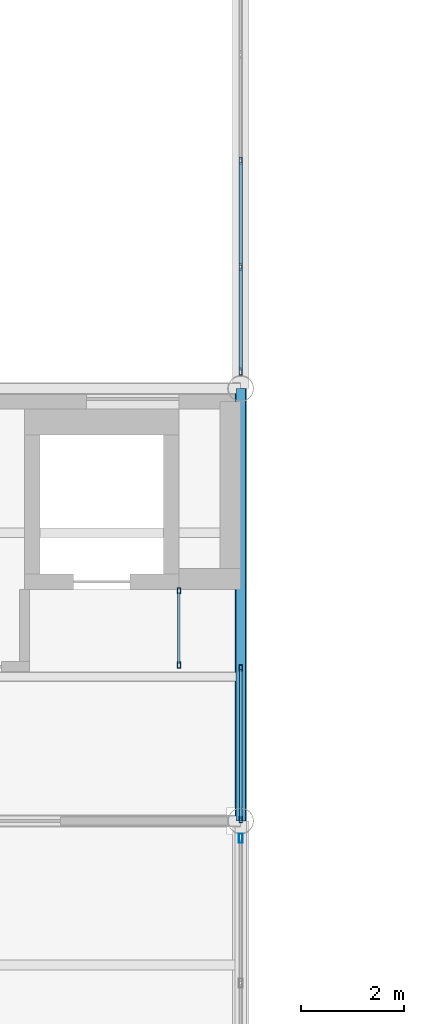
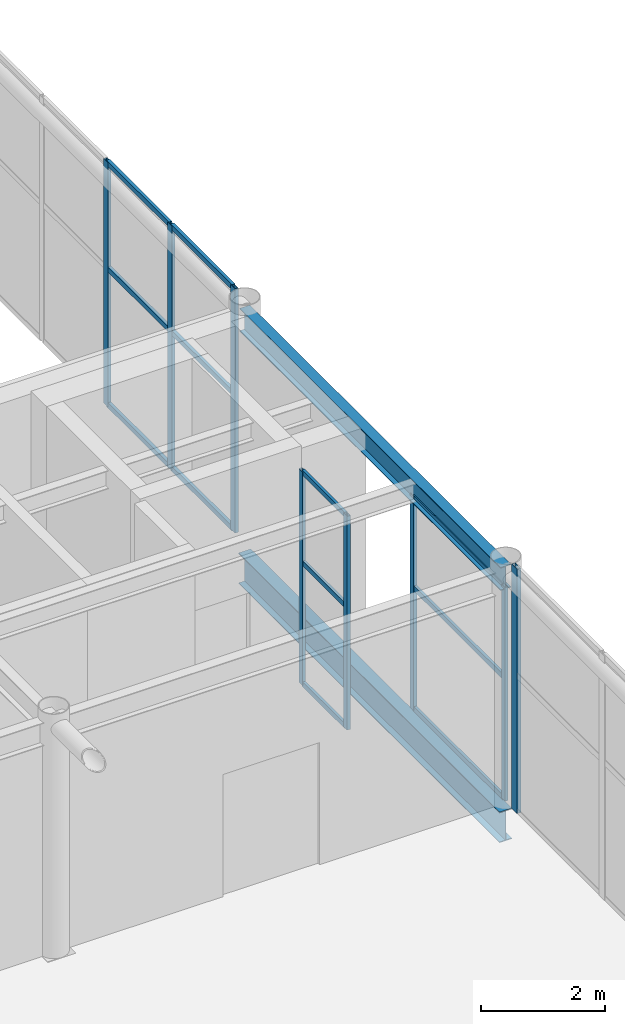
# One storey, part 97 of 167: 20 members, 2 beams, 4 elements without a shape of their own.
"""IFC4 building model written with IfcOpenShell, lengths in metres."""

from ifc_helpers import new_model, si_unit, direction, frame, origin, origin_2d, place, context, subcontext, project, spatial, hollow_rectangle, i_section, extrude, material, material_profile, profile_set, type_object, element, aggregate, save


model = new_model("IFC4")

# Units and contexts
model_context = context("Model", 3, precision=1e-05, world=origin(), true_north=direction((0.0, 1.0)))
body_context = subcontext(model_context, "Body", "Model", "MODEL_VIEW")
ifc_project = project(units=[si_unit("LENGTHUNIT", "METRE"), si_unit("AREAUNIT", "SQUARE_METRE"), si_unit("VOLUMEUNIT", "CUBIC_METRE"), si_unit("PLANEANGLEUNIT", "RADIAN"), si_unit("MASSUNIT", "GRAM", prefix="KILO")], contexts=[model_context])

# Site, building, storey
site_placement = place(None, origin())
site = spatial("IfcSite", under=ifc_project, at=site_placement, CompositionType="ELEMENT")
building_placement = place(site_placement, origin())
building = spatial("IfcBuilding", under=site, at=building_placement, Name="Catenary Quay Ferry Terminal", CompositionType="ELEMENT")
storey_placement = place(building_placement, frame((0.0, 0.0, 6.0)))
storey = spatial("IfcBuildingStorey", under=building, at=storey_placement, Name="L01", CompositionType="ELEMENT", Elevation=6.0)

# Beams
ifc_material_1 = material(Name="Steel S355", Category="steel")
ifc_material_profile_1 = material_profile(ifc_material_1, i_section(OverallWidth=0.18994140625, OverallDepth=0.453369140625, WebThickness=0.008544921875, FlangeThickness=0.0126953125, at=origin_2d()), Name="UB 457x191x67")
ifc_profile_set_1 = profile_set([ifc_material_profile_1], Name="Steel S355")
beam_type_1 = type_object("IfcBeamType", Name="B1 UB 457x191x67", PredefinedType="BEAM", material=ifc_profile_set_1)
beam_1_placement = place(storey_placement, frame((92.39990234375, 100.800048828125, 4.373046875), z_axis=(0.0, 1.0, 0.0), x_axis=(-1.0, 0.0, 0.0)))
element("IfcBeam", 1, at=beam_1_placement, inside=storey, type_object=beam_type_1, Name="Beam B1-061", PredefinedType="BEAM", context=body_context, shape_type="SweptSolid", body=[
    extrude(i_section(OverallWidth=0.18994140625, OverallDepth=0.453369140625, WebThickness=0.008544921875, FlangeThickness=0.0126953125, at=origin_2d()), origin(), (0.0, 0.0, 1.0), 8.39990234375),
])
ifc_material_2 = material(Name="Steel S355", Category="steel")
ifc_material_profile_2 = material_profile(ifc_material_2, i_section(OverallWidth=0.2275390625, OverallDepth=0.6025390625, WebThickness=0.010498046875, FlangeThickness=0.014892578125, at=origin_2d()), Name="UB 610x229x101")
ifc_profile_set_2 = profile_set([ifc_material_profile_2], Name="Steel S355")
beam_type_2 = type_object("IfcBeamType", Name="B3 UB 610x229x101", PredefinedType="BEAM", material=ifc_profile_set_2)
beam_2_placement = place(storey_placement, frame((92.39990234375, 100.800048828125, -0.5009765625), z_axis=(0.0, 1.0, 0.0), x_axis=(-1.0, 0.0, 0.0)))
element("IfcBeam", 2, at=beam_2_placement, inside=storey, type_object=beam_type_2, Name="Beam B3-049", PredefinedType="BEAM", context=body_context, shape_type="SweptSolid", body=[
    extrude(i_section(OverallWidth=0.2275390625, OverallDepth=0.6025390625, WebThickness=0.010498046875, FlangeThickness=0.014892578125, at=origin_2d()), origin(), (0.0, 0.0, 1.0), 8.39990234375),
])

# Curtain wall, members
ifc_material_3 = material(Name="Aluminium and glass", Category="aluminium")
curtain_wall_type_1 = type_object("IfcCurtainWallType", Name="CWG", PredefinedType="NOTDEFINED", material=ifc_material_3)
curtain_wall_1_placement = place(storey_placement, origin())
curtain_wall_1 = element("IfcCurtainWall", 3, at=curtain_wall_1_placement, inside=storey, type_object=curtain_wall_type_1, Name="Gable departure hall curtain wall CW20", PredefinedType="NOTDEFINED")
ifc_material_4 = material(Name="Aluminium", Category="aluminium")
ifc_material_profile_3 = material_profile(ifc_material_4, hollow_rectangle(XDim=0.06005859375, YDim=0.139892578125, WallThickness=0.006103515625, at=origin_2d()), Name="MU2")
ifc_profile_set_3 = profile_set([ifc_material_profile_3], Name="Aluminium")
member_type_1 = type_object("IfcMemberType", Name="MU2", PredefinedType="MULLION", material=ifc_profile_set_3)
member_1_placement = place(storey_placement, frame((92.39990234375, 109.530029296875, 0.0), z_axis=(0.0, 0.0, 1.0), x_axis=(-1.0, 0.0, 0.0)))
member_1 = element("IfcMember", 4, at=member_1_placement, type_object=member_type_1, Name="CW20 mullion 1", PredefinedType="MULLION", context=body_context, shape_type="SweptSolid", body=[
    extrude(hollow_rectangle(XDim=0.06005859375, YDim=0.139892578125, WallThickness=0.006103515625, at=origin_2d()), origin(), (0.0, 0.0, 1.0), 4.800048828125),
])
member_2_placement = place(storey_placement, frame((92.39990234375, 111.5625, 0.0), z_axis=(0.0, 0.0, 1.0), x_axis=(-1.0, 0.0, 0.0)))
member_2 = element("IfcMember", 5, at=member_2_placement, type_object=member_type_1, Name="CW20 mullion 2", PredefinedType="MULLION", context=body_context, shape_type="SweptSolid", body=[
    extrude(hollow_rectangle(XDim=0.06005859375, YDim=0.139892578125, WallThickness=0.006103515625, at=origin_2d()), origin(), (0.0, 0.0, 1.0), 4.800048828125),
])
member_3_placement = place(storey_placement, frame((92.39990234375, 113.625, 0.0), z_axis=(0.0, 0.0, 1.0), x_axis=(-1.0, 0.0, 0.0)))
member_3 = element("IfcMember", 6, at=member_3_placement, type_object=member_type_1, Name="CW20 mullion 3", PredefinedType="MULLION", context=body_context, shape_type="SweptSolid", body=[
    extrude(hollow_rectangle(XDim=0.06005859375, YDim=0.139892578125, WallThickness=0.006103515625, at=origin_2d()), origin(), (0.0, 0.0, 1.0), 4.800048828125),
])

# Curtain wall, member
ifc_material_5 = material(Name="Aluminium and glass", Category="aluminium")
curtain_wall_type_2 = type_object("IfcCurtainWallType", Name="CWM", PredefinedType="NOTDEFINED", material=ifc_material_5)
curtain_wall_2_placement = place(storey_placement, origin())
curtain_wall_2 = element("IfcCurtainWall", 7, at=curtain_wall_2_placement, inside=storey, type_object=curtain_wall_type_2, Name="Gable arrivals hall curtain wall CW11", PredefinedType="NOTDEFINED")
ifc_material_6 = material(Name="Aluminium", Category="aluminium")
ifc_material_profile_4 = material_profile(ifc_material_6, hollow_rectangle(XDim=0.070068359375, YDim=0.179931640625, WallThickness=0.006103515625, at=origin_2d()), Name="MU3")
ifc_profile_set_4 = profile_set([ifc_material_profile_4], Name="Aluminium")
member_type_2 = type_object("IfcMemberType", Name="MU3", PredefinedType="MULLION", material=ifc_profile_set_4)
member_4_placement = place(storey_placement, frame((92.39990234375, 100.465087890625, 0.0), z_axis=(0.0, 0.0, 1.0), x_axis=(-1.0, 0.0, 0.0)))
member_4 = element("IfcMember", 8, at=member_4_placement, type_object=member_type_2, Name="CW11 mullion 3", PredefinedType="MULLION", context=body_context, shape_type="SweptSolid", body=[
    extrude(hollow_rectangle(XDim=0.070068359375, YDim=0.179931640625, WallThickness=0.006103515625, at=origin_2d()), origin(), (0.0, 0.0, 1.0), 4.800048828125),
])
aggregate(curtain_wall_2, [member_4])

# Curtain wall, members
ifc_material_7 = material(Name="Aluminium and glass", Category="aluminium")
curtain_wall_type_3 = type_object("IfcCurtainWallType", Name="CWT", PredefinedType="NOTDEFINED", material=ifc_material_7)
curtain_wall_3_placement = place(storey_placement, origin())
curtain_wall_3 = element("IfcCurtainWall", 9, at=curtain_wall_3_placement, inside=storey, type_object=curtain_wall_type_3, Name="Spine corridor curtain wall CW74", PredefinedType="NOTDEFINED")
ifc_material_8 = material(Name="Aluminium", Category="aluminium")
ifc_material_profile_5 = material_profile(ifc_material_8, hollow_rectangle(XDim=0.06005859375, YDim=0.1201171875, WallThickness=0.0048828125, at=origin_2d()), Name="MU4")
ifc_profile_set_5 = profile_set([ifc_material_profile_5], Name="Aluminium")
member_type_3 = type_object("IfcMemberType", Name="MU4", PredefinedType="MULLION", material=ifc_profile_set_5)
member_5_placement = place(storey_placement, frame((91.199951171875, 103.830078125, 0.0), z_axis=(0.0, 0.0, 1.0), x_axis=(-1.0, 0.0, 0.0)))
member_5 = element("IfcMember", 10, at=member_5_placement, type_object=member_type_3, Name="CW74 mullion 1", PredefinedType="MULLION", context=body_context, shape_type="SweptSolid", body=[
    extrude(hollow_rectangle(XDim=0.06005859375, YDim=0.1201171875, WallThickness=0.0048828125, at=origin_2d()), origin(), (0.0, 0.0, 1.0), 4.199951171875),
])
member_6_placement = place(storey_placement, frame((91.199951171875, 105.27001953125, 0.0), z_axis=(0.0, 0.0, 1.0), x_axis=(-1.0, 0.0, 0.0)))
member_6 = element("IfcMember", 11, at=member_6_placement, type_object=member_type_3, Name="CW74 mullion 2", PredefinedType="MULLION", context=body_context, shape_type="SweptSolid", body=[
    extrude(hollow_rectangle(XDim=0.06005859375, YDim=0.1201171875, WallThickness=0.0048828125, at=origin_2d()), origin(), (0.0, 0.0, 1.0), 4.199951171875),
])

curtain_wall_4_placement = place(storey_placement, origin())
curtain_wall_4 = element("IfcCurtainWall", 12, at=curtain_wall_4_placement, inside=storey, type_object=curtain_wall_type_3, Name="Spine corridor curtain wall CW75", PredefinedType="NOTDEFINED")
member_7_placement = place(storey_placement, frame((92.39990234375, 100.830078125, 0.0), z_axis=(0.0, 0.0, 1.0), x_axis=(-1.0, 0.0, 0.0)))
member_7 = element("IfcMember", 13, at=member_7_placement, type_object=member_type_3, Name="CW75 mullion 1", PredefinedType="MULLION", context=body_context, shape_type="SweptSolid", body=[
    extrude(hollow_rectangle(XDim=0.06005859375, YDim=0.1201171875, WallThickness=0.0048828125, at=origin_2d()), origin(), (0.0, 0.0, 1.0), 4.199951171875),
])
member_8_placement = place(storey_placement, frame((92.39990234375, 103.77001953125, 0.0), z_axis=(0.0, 0.0, 1.0), x_axis=(-1.0, 0.0, 0.0)))
member_8 = element("IfcMember", 14, at=member_8_placement, type_object=member_type_3, Name="CW75 mullion 2", PredefinedType="MULLION", context=body_context, shape_type="SweptSolid", body=[
    extrude(hollow_rectangle(XDim=0.06005859375, YDim=0.1201171875, WallThickness=0.0048828125, at=origin_2d()), origin(), (0.0, 0.0, 1.0), 4.199951171875),
])

# Member
ifc_material_9 = material(Name="Aluminium", Category="aluminium")
ifc_material_profile_6 = material_profile(ifc_material_9, hollow_rectangle(XDim=0.06005859375, YDim=0.10009765625, WallThickness=0.0048828125, at=origin_2d()), Name="TR2")
ifc_profile_set_6 = profile_set([ifc_material_profile_6], Name="Aluminium")
member_type_4 = type_object("IfcMemberType", Name="TR2", PredefinedType="USERDEFINED", material=ifc_profile_set_6)
member_9_placement = place(storey_placement, frame((92.39990234375, 109.56005859375, 0.030029296875), z_axis=(0.0, 1.0, 0.0), x_axis=(-1.0, 0.0, 0.0)))
member_9 = element("IfcMember", 15, at=member_9_placement, type_object=member_type_4, Name="CW20 transom 1.1", ObjectType="TRANSOM", PredefinedType="USERDEFINED", context=body_context, shape_type="SweptSolid", body=[
    extrude(hollow_rectangle(XDim=0.06005859375, YDim=0.10009765625, WallThickness=0.0048828125, at=origin_2d()), origin(), (0.0, 0.0, 1.0), 1.972412109375),
])

member_10_placement = place(storey_placement, frame((92.39990234375, 109.56005859375, 2.699951171875), z_axis=(0.0, 1.0, 0.0), x_axis=(-1.0, 0.0, 0.0)))
member_10 = element("IfcMember", 16, at=member_10_placement, type_object=member_type_4, Name="CW20 transom 1.2", ObjectType="TRANSOM", PredefinedType="USERDEFINED", context=body_context, shape_type="SweptSolid", body=[
    extrude(hollow_rectangle(XDim=0.06005859375, YDim=0.10009765625, WallThickness=0.0048828125, at=origin_2d()), origin(), (0.0, 0.0, 1.0), 1.972412109375),
])

member_11_placement = place(storey_placement, frame((92.39990234375, 109.56005859375, 4.77001953125), z_axis=(0.0, 1.0, 0.0), x_axis=(-1.0, 0.0, 0.0)))
member_11 = element("IfcMember", 17, at=member_11_placement, type_object=member_type_4, Name="CW20 transom 1.3", ObjectType="TRANSOM", PredefinedType="USERDEFINED", context=body_context, shape_type="SweptSolid", body=[
    extrude(hollow_rectangle(XDim=0.06005859375, YDim=0.10009765625, WallThickness=0.0048828125, at=origin_2d()), origin(), (0.0, 0.0, 1.0), 1.972412109375),
])

member_12_placement = place(storey_placement, frame((92.39990234375, 111.592529296875, 0.030029296875), z_axis=(0.0, 1.0, 0.0), x_axis=(-1.0, 0.0, 0.0)))
member_12 = element("IfcMember", 18, at=member_12_placement, type_object=member_type_4, Name="CW20 transom 2.1", ObjectType="TRANSOM", PredefinedType="USERDEFINED", context=body_context, shape_type="SweptSolid", body=[
    extrude(hollow_rectangle(XDim=0.06005859375, YDim=0.10009765625, WallThickness=0.0048828125, at=origin_2d()), origin(), (0.0, 0.0, 1.0), 2.00244140625),
])

member_13_placement = place(storey_placement, frame((92.39990234375, 111.592529296875, 2.699951171875), z_axis=(0.0, 1.0, 0.0), x_axis=(-1.0, 0.0, 0.0)))
member_13 = element("IfcMember", 19, at=member_13_placement, type_object=member_type_4, Name="CW20 transom 2.2", ObjectType="TRANSOM", PredefinedType="USERDEFINED", context=body_context, shape_type="SweptSolid", body=[
    extrude(hollow_rectangle(XDim=0.06005859375, YDim=0.10009765625, WallThickness=0.0048828125, at=origin_2d()), origin(), (0.0, 0.0, 1.0), 2.00244140625),
])

member_14_placement = place(storey_placement, frame((92.39990234375, 111.592529296875, 4.77001953125), z_axis=(0.0, 1.0, 0.0), x_axis=(-1.0, 0.0, 0.0)))
member_14 = element("IfcMember", 20, at=member_14_placement, type_object=member_type_4, Name="CW20 transom 2.3", ObjectType="TRANSOM", PredefinedType="USERDEFINED", context=body_context, shape_type="SweptSolid", body=[
    extrude(hollow_rectangle(XDim=0.06005859375, YDim=0.10009765625, WallThickness=0.0048828125, at=origin_2d()), origin(), (0.0, 0.0, 1.0), 2.00244140625),
])

aggregate(curtain_wall_1, [member_1, member_2, member_3, member_9, member_10, member_11, member_12, member_13, member_14])

ifc_material_10 = material(Name="Aluminium", Category="aluminium")
ifc_material_profile_7 = material_profile(ifc_material_10, hollow_rectangle(XDim=0.050048828125, YDim=0.10009765625, WallThickness=0.00390625, at=origin_2d()), Name="TR4")
ifc_profile_set_7 = profile_set([ifc_material_profile_7], Name="Aluminium")
member_type_5 = type_object("IfcMemberType", Name="TR4", PredefinedType="USERDEFINED", material=ifc_profile_set_7)
member_15_placement = place(storey_placement, frame((91.199951171875, 103.860107421875, 0.02490234375), z_axis=(0.0, 1.0, 0.0), x_axis=(-1.0, 0.0, 0.0)))
member_15 = element("IfcMember", 21, at=member_15_placement, type_object=member_type_5, Name="CW74 transom 1.1", ObjectType="TRANSOM", PredefinedType="USERDEFINED", context=body_context, shape_type="SweptSolid", body=[
    extrude(hollow_rectangle(XDim=0.050048828125, YDim=0.10009765625, WallThickness=0.00390625, at=origin_2d()), origin(), (0.0, 0.0, 1.0), 1.3798828125),
])

member_16_placement = place(storey_placement, frame((91.199951171875, 103.860107421875, 2.39990234375), z_axis=(0.0, 1.0, 0.0), x_axis=(-1.0, 0.0, 0.0)))
member_16 = element("IfcMember", 22, at=member_16_placement, type_object=member_type_5, Name="CW74 transom 1.2", ObjectType="TRANSOM", PredefinedType="USERDEFINED", context=body_context, shape_type="SweptSolid", body=[
    extrude(hollow_rectangle(XDim=0.050048828125, YDim=0.10009765625, WallThickness=0.00390625, at=origin_2d()), origin(), (0.0, 0.0, 1.0), 1.3798828125),
])

member_17_placement = place(storey_placement, frame((91.199951171875, 103.860107421875, 4.175048828125), z_axis=(0.0, 1.0, 0.0), x_axis=(-1.0, 0.0, 0.0)))
member_17 = element("IfcMember", 23, at=member_17_placement, type_object=member_type_5, Name="CW74 transom 1.3", ObjectType="TRANSOM", PredefinedType="USERDEFINED", context=body_context, shape_type="SweptSolid", body=[
    extrude(hollow_rectangle(XDim=0.050048828125, YDim=0.10009765625, WallThickness=0.00390625, at=origin_2d()), origin(), (0.0, 0.0, 1.0), 1.3798828125),
])

aggregate(curtain_wall_3, [member_5, member_6, member_15, member_16, member_17])

member_18_placement = place(storey_placement, frame((92.39990234375, 100.860107421875, 0.02490234375), z_axis=(0.0, 1.0, 0.0), x_axis=(-1.0, 0.0, 0.0)))
member_18 = element("IfcMember", 24, at=member_18_placement, type_object=member_type_5, Name="CW75 transom 1.1", ObjectType="TRANSOM", PredefinedType="USERDEFINED", context=body_context, shape_type="SweptSolid", body=[
    extrude(hollow_rectangle(XDim=0.050048828125, YDim=0.10009765625, WallThickness=0.00390625, at=origin_2d()), origin(), (0.0, 0.0, 1.0), 2.8798828125),
])

member_19_placement = place(storey_placement, frame((92.39990234375, 100.860107421875, 2.39990234375), z_axis=(0.0, 1.0, 0.0), x_axis=(-1.0, 0.0, 0.0)))
member_19 = element("IfcMember", 25, at=member_19_placement, type_object=member_type_5, Name="CW75 transom 1.2", ObjectType="TRANSOM", PredefinedType="USERDEFINED", context=body_context, shape_type="SweptSolid", body=[
    extrude(hollow_rectangle(XDim=0.050048828125, YDim=0.10009765625, WallThickness=0.00390625, at=origin_2d()), origin(), (0.0, 0.0, 1.0), 2.8798828125),
])

member_20_placement = place(storey_placement, frame((92.39990234375, 100.860107421875, 4.175048828125), z_axis=(0.0, 1.0, 0.0), x_axis=(-1.0, 0.0, 0.0)))
member_20 = element("IfcMember", 26, at=member_20_placement, type_object=member_type_5, Name="CW75 transom 1.3", ObjectType="TRANSOM", PredefinedType="USERDEFINED", context=body_context, shape_type="SweptSolid", body=[
    extrude(hollow_rectangle(XDim=0.050048828125, YDim=0.10009765625, WallThickness=0.00390625, at=origin_2d()), origin(), (0.0, 0.0, 1.0), 2.8798828125),
])

aggregate(curtain_wall_4, [member_7, member_8, member_18, member_19, member_20])

save(model, "model.ifc")
